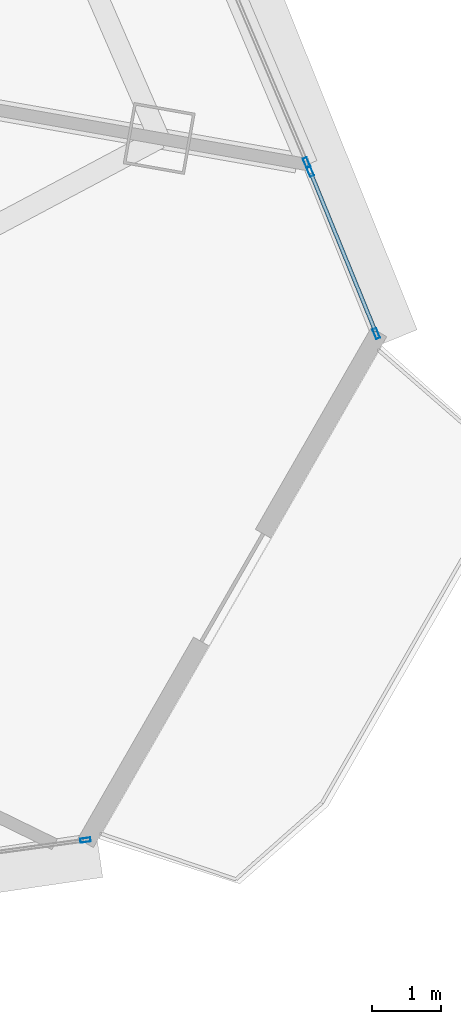
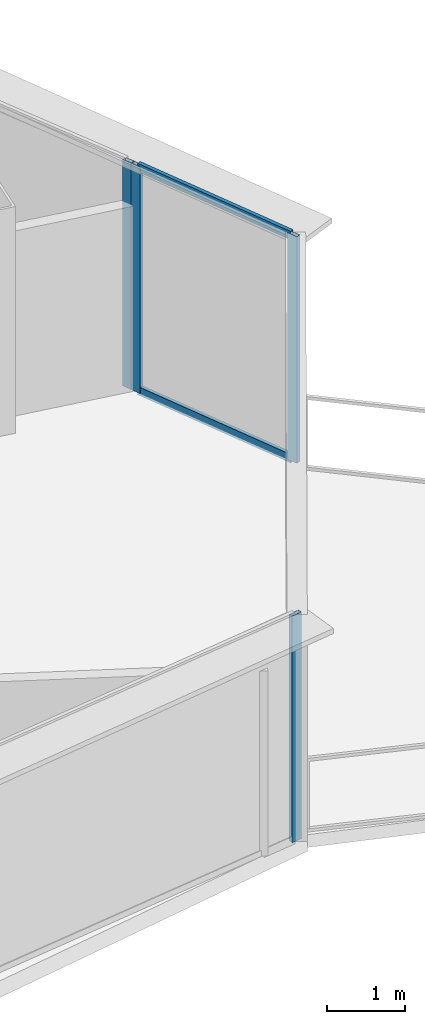
# One storey, part 24 of 37: 6 members, 3 elements without a shape of their own.
"""IFC4 building model written with IfcOpenShell, lengths in metres."""

from ifc_helpers import new_model, si_unit, direction, frame, origin, origin_2d, place, context, subcontext, project, spatial, hollow_rectangle, extrude, source, transform, mapped, material, layer, layer_set, material_profile, profile_set, type_object, element, aggregate, save


model = new_model("IFC4")

# Units and contexts
model_context = context("Model", 3, precision=1e-05, world=origin(), true_north=direction((0.0, 1.0)))
body_context = subcontext(model_context, "Body", "Model", "MODEL_VIEW")
ifc_project = project(units=[si_unit("LENGTHUNIT", "METRE"), si_unit("AREAUNIT", "SQUARE_METRE"), si_unit("VOLUMEUNIT", "CUBIC_METRE"), si_unit("PLANEANGLEUNIT", "RADIAN"), si_unit("MASSUNIT", "GRAM", prefix="KILO"), si_unit("THERMODYNAMICTEMPERATUREUNIT", "KELVIN"), si_unit("POWERUNIT", "WATT")], contexts=[model_context])

# Site, building, storey
site_placement = place(None, origin())
site = spatial("IfcSite", under=ifc_project, at=site_placement, CompositionType="ELEMENT")
building_placement = place(site_placement, origin())
building = spatial("IfcBuilding", under=site, at=building_placement, Name="Yunzhuo Pagoda Commons", CompositionType="ELEMENT")
storey_placement = place(building_placement, frame((0.0, 0.0, 199.9599609375)))
storey = spatial("IfcBuildingStorey", under=building, at=storey_placement, Name="L50", CompositionType="ELEMENT", Elevation=199.9599609375)

# Curtain wall, member
ifc_material = material(Name="Anodized aluminium 6063-T6", Category="aluminium")
ifc_layer = layer(ifc_material, 0.14990234375)
ifc_layer_set = layer_set([ifc_layer], Name="Anodized aluminium 6063-T6")
curtain_wall_type = type_object("IfcCurtainWallType", Name="CW-MID Mid-Zone Ribbon Curtain Wall", PredefinedType="NOTDEFINED", material=ifc_layer_set)
curtain_wall_1_placement = place(storey_placement, origin())
curtain_wall_1 = element("IfcCurtainWall", 1, at=curtain_wall_1_placement, inside=storey, type_object=curtain_wall_type, Name="L50 curtain wall CW-L50-F1B5", PredefinedType="NOTDEFINED")
ifc_material_profile_1 = material_profile(ifc_material, hollow_rectangle(XDim=0.06005859375, YDim=0.14990234375, WallThickness=0.00390625, at=origin_2d()), Name="Anodized aluminium 6063-T6")
ifc_profile_set_1 = profile_set([ifc_material_profile_1], Name="Anodized aluminium 6063-T6")
member_type_1 = type_object("IfcMemberType", Name="CW-MID-M Mullion RHS 150x60x4", PredefinedType="MULLION", material=ifc_profile_set_1)
shared_shape_1 = source(origin(), body_context, "Body", "SweptSolid", [
    extrude(hollow_rectangle(XDim=0.06005859375, YDim=0.14990234375, WallThickness=0.00390625, at=origin_2d()), origin(), (0.0, 0.0, 1.0), 3.5400390625),
])
member_1_placement = place(storey_placement, frame((82.1376953125, 17.32861328125, 0.0), z_axis=(0.0, 0.0, 1.0), x_axis=(-0.135312015534, 0.990803037163, 0.0)))
member_1 = element("IfcMember", 2, at=member_1_placement, type_object=member_type_1, Name="CW mullion 2", PredefinedType="MULLION", context=body_context, shape_type="MappedRepresentation", body=[
    mapped(shared_shape_1, transform((0.0, 0.0, 0.0), scale=1.0)),
])
aggregate(curtain_wall_1, [member_1])

curtain_wall_2_placement = place(storey_placement, origin())
curtain_wall_2 = element("IfcCurtainWall", 3, at=curtain_wall_2_placement, inside=storey, type_object=curtain_wall_type, Name="L50 curtain wall CW-L50-F2B2", PredefinedType="NOTDEFINED")
member_2_placement = place(storey_placement, frame((85.341796875, 27.14111328125, 0.0), z_axis=(0.0, 0.0, 1.0), x_axis=(-0.920666607247, -0.390349840912, 0.0)))
member_2 = element("IfcMember", 4, at=member_2_placement, type_object=member_type_1, Name="CW mullion 1", PredefinedType="MULLION", context=body_context, shape_type="MappedRepresentation", body=[
    mapped(shared_shape_1, transform((0.0, 0.0, 0.0), scale=1.0)),
])
aggregate(curtain_wall_2, [member_2])

# Curtain wall, members
curtain_wall_3_placement = place(storey_placement, origin())
curtain_wall_3 = element("IfcCurtainWall", 5, at=curtain_wall_3_placement, inside=storey, type_object=curtain_wall_type, Name="L50 curtain wall CW-L50-F2B1", PredefinedType="NOTDEFINED")
member_3_placement = place(storey_placement, frame((86.3505859375, 24.666015625, 0.0), z_axis=(0.0, 0.0, 1.0), x_axis=(-0.926070937911, -0.377349463967, 0.0)))
member_3 = element("IfcMember", 6, at=member_3_placement, type_object=member_type_1, Name="CW mullion 1", PredefinedType="MULLION", context=body_context, shape_type="MappedRepresentation", body=[
    mapped(shared_shape_1, transform((0.0, 0.0, 0.0), scale=1.0)),
])
member_4_placement = place(storey_placement, frame((85.39306640625, 27.016357421875, 0.0), z_axis=(0.0, 0.0, 1.0), x_axis=(-0.926070937911, -0.377349463967, 0.0)))
member_4 = element("IfcMember", 7, at=member_4_placement, type_object=member_type_1, Name="CW mullion 2", PredefinedType="MULLION", context=body_context, shape_type="MappedRepresentation", body=[
    mapped(shared_shape_1, transform((0.0, 0.0, 0.0), scale=1.0)),
])
ifc_material_profile_2 = material_profile(ifc_material, hollow_rectangle(XDim=0.054931640625, YDim=0.1298828125, WallThickness=0.00341796875, at=origin_2d()), Name="Anodized aluminium 6063-T6")
ifc_profile_set_2 = profile_set([ifc_material_profile_2], Name="Anodized aluminium 6063-T6")
member_type_2 = type_object("IfcMemberType", Name="CW-MID-T Transom RHS 130x55x3.5", PredefinedType="USERDEFINED", material=ifc_profile_set_2)
shared_shape_2 = source(origin(), body_context, "Body", "SweptSolid", [
    extrude(hollow_rectangle(XDim=0.054931640625, YDim=0.1298828125, WallThickness=0.00341796875, at=origin_2d()), origin(), (0.0, 0.0, 1.0), 2.47802734375),
])
member_5_placement = place(storey_placement, frame((86.339599609375, 24.69384765625, 0.027587890625), z_axis=(-0.377447103133, 0.926031146526, 0.0), x_axis=(-0.926031146526, -0.377447103133, 0.0)))
member_5 = element("IfcMember", 8, at=member_5_placement, type_object=member_type_2, Name="CW transom 1.1", ObjectType="TRANSOM", PredefinedType="USERDEFINED", context=body_context, shape_type="MappedRepresentation", body=[
    mapped(shared_shape_2, transform((0.0, 0.0, 0.0), scale=1.0)),
])
member_6_placement = place(storey_placement, frame((86.339599609375, 24.69384765625, 3.512451171875), z_axis=(-0.377447103133, 0.926031146526, 0.0), x_axis=(-0.926031146526, -0.377447103133, 0.0)))
member_6 = element("IfcMember", 9, at=member_6_placement, type_object=member_type_2, Name="CW transom 1.2", ObjectType="TRANSOM", PredefinedType="USERDEFINED", context=body_context, shape_type="MappedRepresentation", body=[
    mapped(shared_shape_2, transform((0.0, 0.0, 0.0), scale=1.0)),
])
aggregate(curtain_wall_3, [member_3, member_4, member_5, member_6])

save(model, "model.ifc")
